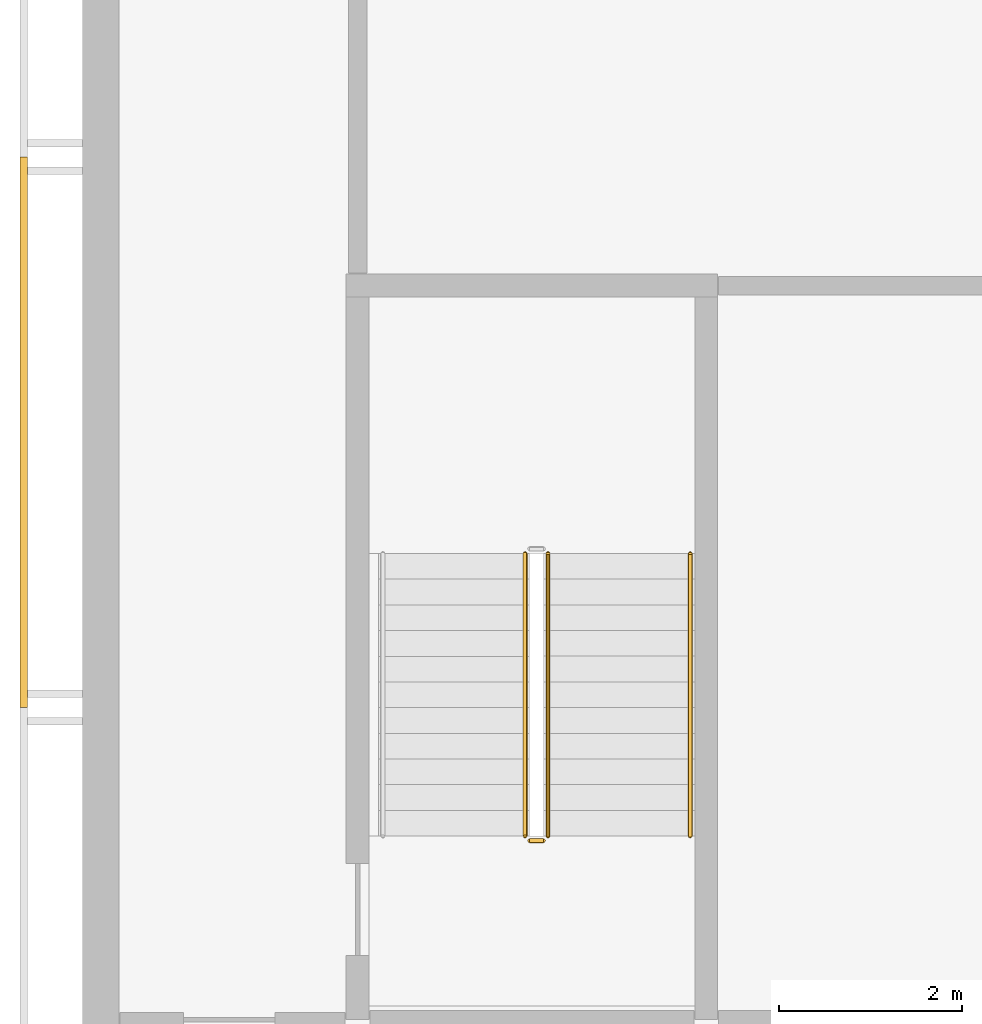
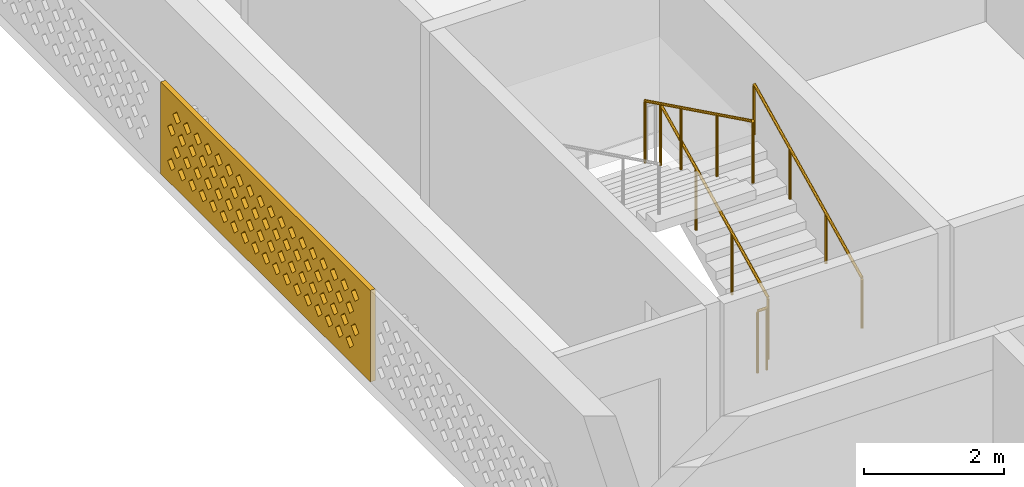
# One storey, part 12 of 18: 4 railings, 1 covering.
"""IFC4 building model written with IfcOpenShell, lengths in metres."""

from ifc_helpers import new_model, si_unit, direction, frame, origin, origin_2d, place, context, subcontext, project, spatial, polyline, circle, outline, extrude, source, transform, mapped, material, material_profile, profile_set, type_object, element, save


model = new_model("IFC4")

# Units and contexts
model_context = context("Model", 3, precision=1e-05, world=origin(), true_north=direction((0.0, 1.0)))
body_context = subcontext(model_context, "Body", "Model", "MODEL_VIEW")
ifc_project = project(units=[si_unit("LENGTHUNIT", "METRE"), si_unit("AREAUNIT", "SQUARE_METRE"), si_unit("VOLUMEUNIT", "CUBIC_METRE"), si_unit("PLANEANGLEUNIT", "RADIAN"), si_unit("MASSUNIT", "GRAM", prefix="KILO")], contexts=[model_context])

# Site, building, storey
site_placement = place(None, origin())
site = spatial("IfcSite", under=ifc_project, at=site_placement, CompositionType="ELEMENT")
building_placement = place(site_placement, origin())
building = spatial("IfcBuilding", under=site, at=building_placement, Name="Poui Terraces", CompositionType="ELEMENT")
storey_placement = place(building_placement, frame((0.0, 0.0, 285.60009765625)))
storey = spatial("IfcBuildingStorey", under=building, at=storey_placement, Name="L79 CROWN", CompositionType="ELEMENT", Elevation=285.60009765625)

# Railings
ifc_material_1 = material(Name="Galvanised steel balustrade", Category="steel")
railing_type_1 = type_object("IfcRailingType", Name="STAIR GUARD 1100", PredefinedType="GUARDRAIL", material=ifc_material_1)
railing_1_placement = place(storey_placement, frame((22.875, 16.60009765625, 0.137451171875)))
element("IfcRailing", 1, at=railing_1_placement, inside=storey, type_object=railing_type_1, Name="L79 CROWN ST-W stair guard 1", PredefinedType="GUARDRAIL", context=body_context, shape_type="SweptSolid", body=[
    extrude(circle(Radius=0.02392578125, at=origin_2d()), frame((0.0, 0.0, 1.076171875), z_axis=(0.0, 0.897606190399, 0.440798283751), x_axis=(-1.0, 0.0, 0.0)), (0.0, 0.0, 1.0), 3.43115234375),
    extrude(circle(Radius=0.02099609375, at=origin_2d()), origin(), (0.0, 0.0, 1.0), 1.052001953125),
    extrude(circle(Radius=0.02099609375, at=origin_2d()), frame((0.0, 1.026611328125, 0.504150390625)), (0.0, 0.0, 1.0), 1.052001953125),
    extrude(circle(Radius=0.02099609375, at=origin_2d()), frame((0.0, 2.05322265625, 1.00830078125)), (0.0, 0.0, 1.0), 1.052001953125),
    extrude(circle(Radius=0.02099609375, at=origin_2d()), frame((0.0, 3.079833984375, 1.512451171875)), (0.0, 0.0, 1.0), 1.052001953125),
])
railing_2_placement = place(storey_placement, frame((22.625, 19.679931640625, 1.787353515625)))
element("IfcRailing", 2, at=railing_2_placement, inside=storey, type_object=railing_type_1, Name="L79 CROWN ST-W stair guard 3", PredefinedType="GUARDRAIL", context=body_context, shape_type="SweptSolid", body=[
    extrude(circle(Radius=0.02392578125, at=origin_2d()), frame((0.0, 0.0, 1.076171875), z_axis=(0.0, -0.897606190399, 0.440798283751), x_axis=(1.0, 0.0, 0.0)), (0.0, 0.0, 1.0), 3.43115234375),
    extrude(circle(Radius=0.02099609375, at=origin_2d()), origin(), (0.0, 0.0, 1.0), 1.052001953125),
    extrude(circle(Radius=0.02099609375, at=origin_2d()), frame((0.0, -1.026611328125, 0.504150390625)), (0.0, 0.0, 1.0), 1.052001953125),
    extrude(circle(Radius=0.02099609375, at=origin_2d()), frame((0.0, -2.05322265625, 1.00830078125)), (0.0, 0.0, 1.0), 1.052001953125),
    extrude(circle(Radius=0.02099609375, at=origin_2d()), frame((0.0, -3.079833984375, 1.512451171875)), (0.0, 0.0, 1.0), 1.052001953125),
])
railing_3_placement = place(storey_placement, frame((22.824951171875, 16.550048828125, 0.0)))
element("IfcRailing", 3, at=railing_3_placement, inside=storey, type_object=railing_type_1, Name="L79 CROWN ST-W stair guard 4", PredefinedType="GUARDRAIL", context=body_context, shape_type="SweptSolid", body=[
    extrude(circle(Radius=0.02392578125, at=origin_2d()), frame((0.0, 0.0, 1.076171875), z_axis=(-1.0, 0.0, 0.0), x_axis=(0.0, -1.0, 0.0)), (0.0, 0.0, 1.0), 0.14990234375),
    extrude(circle(Radius=0.02099609375, at=origin_2d()), origin(), (0.0, 0.0, 1.0), 1.052001953125),
    extrude(circle(Radius=0.02099609375, at=origin_2d()), frame((-0.14990234375, 0.0, 0.0)), (0.0, 0.0, 1.0), 1.052001953125),
])
ifc_material_2 = material(Name="Stainless steel handrail", Category="steel")
railing_type_2 = type_object("IfcRailingType", Name="STAIR HANDRAIL 900", PredefinedType="HANDRAIL", material=ifc_material_2)
railing_4_placement = place(storey_placement, frame((24.425048828125, 16.60009765625, 0.137451171875)))
element("IfcRailing", 4, at=railing_4_placement, inside=storey, type_object=railing_type_2, Name="L79 CROWN ST-W stair handrail 1", PredefinedType="HANDRAIL", context=body_context, shape_type="SweptSolid", body=[
    extrude(circle(Radius=0.02392578125, at=origin_2d()), frame((0.0, 0.0, 0.8759765625), z_axis=(0.0, 0.897606190399, 0.440798283751), x_axis=(-1.0, 0.0, 0.0)), (0.0, 0.0, 1.0), 3.43115234375),
    extrude(circle(Radius=0.02099609375, at=origin_2d()), origin(), (0.0, 0.0, 1.0), 0.851806640625),
    extrude(circle(Radius=0.02099609375, at=origin_2d()), frame((0.0, 1.026611328125, 0.504150390625)), (0.0, 0.0, 1.0), 0.851806640625),
    extrude(circle(Radius=0.02099609375, at=origin_2d()), frame((0.0, 2.05322265625, 1.00830078125)), (0.0, 0.0, 1.0), 0.851806640625),
    extrude(circle(Radius=0.02099609375, at=origin_2d()), frame((0.0, 3.079833984375, 1.512451171875)), (0.0, 0.0, 1.0), 0.851806640625),
])

# Covering
ifc_material_3 = material(Name="Terracotta screen", Category="masonry")
ifc_material_profile = material_profile(ifc_material_3, outline(polyline([(-3.0, -0.800048828125), (3.0, -0.800048828125), (3.0, 0.800048828125), (-3.0, 0.800048828125), (-3.0, -0.800048828125)]), holes=[polyline([(-2.800048828125, -0.449951171875), (-2.68994140625, -0.56005859375), (-2.580078125, -0.449951171875), (-2.68994140625, -0.340087890625), (-2.800048828125, -0.449951171875)]), polyline([(-2.5, -0.449951171875), (-2.389892578125, -0.56005859375), (-2.280029296875, -0.449951171875), (-2.389892578125, -0.340087890625), (-2.5, -0.449951171875)]), polyline([(-2.199951171875, -0.449951171875), (-2.090087890625, -0.56005859375), (-1.97998046875, -0.449951171875), (-2.090087890625, -0.340087890625), (-2.199951171875, -0.449951171875)]), polyline([(-1.89990234375, -0.449951171875), (-1.7900390625, -0.56005859375), (-1.679931640625, -0.449951171875), (-1.7900390625, -0.340087890625), (-1.89990234375, -0.449951171875)]), polyline([(-1.60009765625, -0.449951171875), (-1.489990234375, -0.56005859375), (-1.3798828125, -0.449951171875), (-1.489990234375, -0.340087890625), (-1.60009765625, -0.449951171875)]), polyline([(-1.300048828125, -0.449951171875), (-1.18994140625, -0.56005859375), (-1.080078125, -0.449951171875), (-1.18994140625, -0.340087890625), (-1.300048828125, -0.449951171875)]), polyline([(-1.0, -0.449951171875), (-0.889892578125, -0.56005859375), (-0.780029296875, -0.449951171875), (-0.889892578125, -0.340087890625), (-1.0, -0.449951171875)]), polyline([(-0.699951171875, -0.449951171875), (-0.590087890625, -0.56005859375), (-0.47998046875, -0.449951171875), (-0.590087890625, -0.340087890625), (-0.699951171875, -0.449951171875)]), polyline([(-0.39990234375, -0.449951171875), (-0.2900390625, -0.56005859375), (-0.179931640625, -0.449951171875), (-0.2900390625, -0.340087890625), (-0.39990234375, -0.449951171875)]), polyline([(-0.10009765625, -0.449951171875), (0.010009765625, -0.56005859375), (0.1201171875, -0.449951171875), (0.010009765625, -0.340087890625), (-0.10009765625, -0.449951171875)]), polyline([(0.199951171875, -0.449951171875), (0.31005859375, -0.56005859375), (0.419921875, -0.449951171875), (0.31005859375, -0.340087890625), (0.199951171875, -0.449951171875)]), polyline([(0.5, -0.449951171875), (0.610107421875, -0.56005859375), (0.719970703125, -0.449951171875), (0.610107421875, -0.340087890625), (0.5, -0.449951171875)]), polyline([(0.800048828125, -0.449951171875), (0.909912109375, -0.56005859375), (1.02001953125, -0.449951171875), (0.909912109375, -0.340087890625), (0.800048828125, -0.449951171875)]), polyline([(1.10009765625, -0.449951171875), (1.2099609375, -0.56005859375), (1.320068359375, -0.449951171875), (1.2099609375, -0.340087890625), (1.10009765625, -0.449951171875)]), polyline([(1.39990234375, -0.449951171875), (1.510009765625, -0.56005859375), (1.6201171875, -0.449951171875), (1.510009765625, -0.340087890625), (1.39990234375, -0.449951171875)]), polyline([(1.699951171875, -0.449951171875), (1.81005859375, -0.56005859375), (1.919921875, -0.449951171875), (1.81005859375, -0.340087890625), (1.699951171875, -0.449951171875)]), polyline([(2.0, -0.449951171875), (2.110107421875, -0.56005859375), (2.219970703125, -0.449951171875), (2.110107421875, -0.340087890625), (2.0, -0.449951171875)]), polyline([(2.300048828125, -0.449951171875), (2.409912109375, -0.56005859375), (2.52001953125, -0.449951171875), (2.409912109375, -0.340087890625), (2.300048828125, -0.449951171875)]), polyline([(-2.64990234375, -0.14990234375), (-2.5400390625, -0.260009765625), (-2.429931640625, -0.14990234375), (-2.5400390625, -0.0400390625), (-2.64990234375, -0.14990234375)]), polyline([(-2.35009765625, -0.14990234375), (-2.239990234375, -0.260009765625), (-2.1298828125, -0.14990234375), (-2.239990234375, -0.0400390625), (-2.35009765625, -0.14990234375)]), polyline([(-2.050048828125, -0.14990234375), (-1.93994140625, -0.260009765625), (-1.830078125, -0.14990234375), (-1.93994140625, -0.0400390625), (-2.050048828125, -0.14990234375)]), polyline([(-1.75, -0.14990234375), (-1.639892578125, -0.260009765625), (-1.530029296875, -0.14990234375), (-1.639892578125, -0.0400390625), (-1.75, -0.14990234375)]), polyline([(-1.449951171875, -0.14990234375), (-1.340087890625, -0.260009765625), (-1.22998046875, -0.14990234375), (-1.340087890625, -0.0400390625), (-1.449951171875, -0.14990234375)]), polyline([(-1.14990234375, -0.14990234375), (-1.0400390625, -0.260009765625), (-0.929931640625, -0.14990234375), (-1.0400390625, -0.0400390625), (-1.14990234375, -0.14990234375)]), polyline([(-0.85009765625, -0.14990234375), (-0.739990234375, -0.260009765625), (-0.6298828125, -0.14990234375), (-0.739990234375, -0.0400390625), (-0.85009765625, -0.14990234375)]), polyline([(-0.550048828125, -0.14990234375), (-0.43994140625, -0.260009765625), (-0.330078125, -0.14990234375), (-0.43994140625, -0.0400390625), (-0.550048828125, -0.14990234375)]), polyline([(-0.25, -0.14990234375), (-0.139892578125, -0.260009765625), (-0.030029296875, -0.14990234375), (-0.139892578125, -0.0400390625), (-0.25, -0.14990234375)]), polyline([(0.050048828125, -0.14990234375), (0.159912109375, -0.260009765625), (0.27001953125, -0.14990234375), (0.159912109375, -0.0400390625), (0.050048828125, -0.14990234375)]), polyline([(0.35009765625, -0.14990234375), (0.4599609375, -0.260009765625), (0.570068359375, -0.14990234375), (0.4599609375, -0.0400390625), (0.35009765625, -0.14990234375)]), polyline([(0.64990234375, -0.14990234375), (0.760009765625, -0.260009765625), (0.8701171875, -0.14990234375), (0.760009765625, -0.0400390625), (0.64990234375, -0.14990234375)]), polyline([(0.949951171875, -0.14990234375), (1.06005859375, -0.260009765625), (1.169921875, -0.14990234375), (1.06005859375, -0.0400390625), (0.949951171875, -0.14990234375)]), polyline([(1.25, -0.14990234375), (1.360107421875, -0.260009765625), (1.469970703125, -0.14990234375), (1.360107421875, -0.0400390625), (1.25, -0.14990234375)]), polyline([(1.550048828125, -0.14990234375), (1.659912109375, -0.260009765625), (1.77001953125, -0.14990234375), (1.659912109375, -0.0400390625), (1.550048828125, -0.14990234375)]), polyline([(1.85009765625, -0.14990234375), (1.9599609375, -0.260009765625), (2.070068359375, -0.14990234375), (1.9599609375, -0.0400390625), (1.85009765625, -0.14990234375)]), polyline([(2.14990234375, -0.14990234375), (2.260009765625, -0.260009765625), (2.3701171875, -0.14990234375), (2.260009765625, -0.0400390625), (2.14990234375, -0.14990234375)]), polyline([(2.449951171875, -0.14990234375), (2.56005859375, -0.260009765625), (2.669921875, -0.14990234375), (2.56005859375, -0.0400390625), (2.449951171875, -0.14990234375)]), polyline([(-2.800048828125, 0.14990234375), (-2.68994140625, 0.0400390625), (-2.580078125, 0.14990234375), (-2.68994140625, 0.260009765625), (-2.800048828125, 0.14990234375)]), polyline([(-2.5, 0.14990234375), (-2.389892578125, 0.0400390625), (-2.280029296875, 0.14990234375), (-2.389892578125, 0.260009765625), (-2.5, 0.14990234375)]), polyline([(-2.199951171875, 0.14990234375), (-2.090087890625, 0.0400390625), (-1.97998046875, 0.14990234375), (-2.090087890625, 0.260009765625), (-2.199951171875, 0.14990234375)]), polyline([(-1.89990234375, 0.14990234375), (-1.7900390625, 0.0400390625), (-1.679931640625, 0.14990234375), (-1.7900390625, 0.260009765625), (-1.89990234375, 0.14990234375)]), polyline([(-1.60009765625, 0.14990234375), (-1.489990234375, 0.0400390625), (-1.3798828125, 0.14990234375), (-1.489990234375, 0.260009765625), (-1.60009765625, 0.14990234375)]), polyline([(-1.300048828125, 0.14990234375), (-1.18994140625, 0.0400390625), (-1.080078125, 0.14990234375), (-1.18994140625, 0.260009765625), (-1.300048828125, 0.14990234375)]), polyline([(-1.0, 0.14990234375), (-0.889892578125, 0.0400390625), (-0.780029296875, 0.14990234375), (-0.889892578125, 0.260009765625), (-1.0, 0.14990234375)]), polyline([(-0.699951171875, 0.14990234375), (-0.590087890625, 0.0400390625), (-0.47998046875, 0.14990234375), (-0.590087890625, 0.260009765625), (-0.699951171875, 0.14990234375)]), polyline([(-0.39990234375, 0.14990234375), (-0.2900390625, 0.0400390625), (-0.179931640625, 0.14990234375), (-0.2900390625, 0.260009765625), (-0.39990234375, 0.14990234375)]), polyline([(-0.10009765625, 0.14990234375), (0.010009765625, 0.0400390625), (0.1201171875, 0.14990234375), (0.010009765625, 0.260009765625), (-0.10009765625, 0.14990234375)]), polyline([(0.199951171875, 0.14990234375), (0.31005859375, 0.0400390625), (0.419921875, 0.14990234375), (0.31005859375, 0.260009765625), (0.199951171875, 0.14990234375)]), polyline([(0.5, 0.14990234375), (0.610107421875, 0.0400390625), (0.719970703125, 0.14990234375), (0.610107421875, 0.260009765625), (0.5, 0.14990234375)]), polyline([(0.800048828125, 0.14990234375), (0.909912109375, 0.0400390625), (1.02001953125, 0.14990234375), (0.909912109375, 0.260009765625), (0.800048828125, 0.14990234375)]), polyline([(1.10009765625, 0.14990234375), (1.2099609375, 0.0400390625), (1.320068359375, 0.14990234375), (1.2099609375, 0.260009765625), (1.10009765625, 0.14990234375)]), polyline([(1.39990234375, 0.14990234375), (1.510009765625, 0.0400390625), (1.6201171875, 0.14990234375), (1.510009765625, 0.260009765625), (1.39990234375, 0.14990234375)]), polyline([(1.699951171875, 0.14990234375), (1.81005859375, 0.0400390625), (1.919921875, 0.14990234375), (1.81005859375, 0.260009765625), (1.699951171875, 0.14990234375)]), polyline([(2.0, 0.14990234375), (2.110107421875, 0.0400390625), (2.219970703125, 0.14990234375), (2.110107421875, 0.260009765625), (2.0, 0.14990234375)]), polyline([(2.300048828125, 0.14990234375), (2.409912109375, 0.0400390625), (2.52001953125, 0.14990234375), (2.409912109375, 0.260009765625), (2.300048828125, 0.14990234375)]), polyline([(-2.64990234375, 0.449951171875), (-2.5400390625, 0.340087890625), (-2.429931640625, 0.449951171875), (-2.5400390625, 0.56005859375), (-2.64990234375, 0.449951171875)]), polyline([(-2.35009765625, 0.449951171875), (-2.239990234375, 0.340087890625), (-2.1298828125, 0.449951171875), (-2.239990234375, 0.56005859375), (-2.35009765625, 0.449951171875)]), polyline([(-2.050048828125, 0.449951171875), (-1.93994140625, 0.340087890625), (-1.830078125, 0.449951171875), (-1.93994140625, 0.56005859375), (-2.050048828125, 0.449951171875)]), polyline([(-1.75, 0.449951171875), (-1.639892578125, 0.340087890625), (-1.530029296875, 0.449951171875), (-1.639892578125, 0.56005859375), (-1.75, 0.449951171875)]), polyline([(-1.449951171875, 0.449951171875), (-1.340087890625, 0.340087890625), (-1.22998046875, 0.449951171875), (-1.340087890625, 0.56005859375), (-1.449951171875, 0.449951171875)]), polyline([(-1.14990234375, 0.449951171875), (-1.0400390625, 0.340087890625), (-0.929931640625, 0.449951171875), (-1.0400390625, 0.56005859375), (-1.14990234375, 0.449951171875)]), polyline([(-0.85009765625, 0.449951171875), (-0.739990234375, 0.340087890625), (-0.6298828125, 0.449951171875), (-0.739990234375, 0.56005859375), (-0.85009765625, 0.449951171875)]), polyline([(-0.550048828125, 0.449951171875), (-0.43994140625, 0.340087890625), (-0.330078125, 0.449951171875), (-0.43994140625, 0.56005859375), (-0.550048828125, 0.449951171875)]), polyline([(-0.25, 0.449951171875), (-0.139892578125, 0.340087890625), (-0.030029296875, 0.449951171875), (-0.139892578125, 0.56005859375), (-0.25, 0.449951171875)]), polyline([(0.050048828125, 0.449951171875), (0.159912109375, 0.340087890625), (0.27001953125, 0.449951171875), (0.159912109375, 0.56005859375), (0.050048828125, 0.449951171875)]), polyline([(0.35009765625, 0.449951171875), (0.4599609375, 0.340087890625), (0.570068359375, 0.449951171875), (0.4599609375, 0.56005859375), (0.35009765625, 0.449951171875)]), polyline([(0.64990234375, 0.449951171875), (0.760009765625, 0.340087890625), (0.8701171875, 0.449951171875), (0.760009765625, 0.56005859375), (0.64990234375, 0.449951171875)]), polyline([(0.949951171875, 0.449951171875), (1.06005859375, 0.340087890625), (1.169921875, 0.449951171875), (1.06005859375, 0.56005859375), (0.949951171875, 0.449951171875)]), polyline([(1.25, 0.449951171875), (1.360107421875, 0.340087890625), (1.469970703125, 0.449951171875), (1.360107421875, 0.56005859375), (1.25, 0.449951171875)]), polyline([(1.550048828125, 0.449951171875), (1.659912109375, 0.340087890625), (1.77001953125, 0.449951171875), (1.659912109375, 0.56005859375), (1.550048828125, 0.449951171875)]), polyline([(1.85009765625, 0.449951171875), (1.9599609375, 0.340087890625), (2.070068359375, 0.449951171875), (1.9599609375, 0.56005859375), (1.85009765625, 0.449951171875)]), polyline([(2.14990234375, 0.449951171875), (2.260009765625, 0.340087890625), (2.3701171875, 0.449951171875), (2.260009765625, 0.56005859375), (2.14990234375, 0.449951171875)]), polyline([(2.449951171875, 0.449951171875), (2.56005859375, 0.340087890625), (2.669921875, 0.449951171875), (2.56005859375, 0.56005859375), (2.449951171875, 0.449951171875)])]), Name="TERRACOTTA SOLAR SCREEN 6000X1600")
ifc_profile_set = profile_set([ifc_material_profile], Name="Terracotta screen")
covering_type = type_object("IfcCoveringType", Name="TERRACOTTA SOLAR SCREEN 6000X1600", PredefinedType="CLADDING", material=ifc_profile_set)
shared_shape = source(origin(), body_context, "Body", "SweptSolid", [
    extrude(outline(polyline([(-3.0, -0.800048828125), (3.0, -0.800048828125), (3.0, 0.800048828125), (-3.0, 0.800048828125), (-3.0, -0.800048828125)]), holes=[polyline([(-2.800048828125, -0.449951171875), (-2.68994140625, -0.56005859375), (-2.580078125, -0.449951171875), (-2.68994140625, -0.340087890625), (-2.800048828125, -0.449951171875)]), polyline([(-2.5, -0.449951171875), (-2.389892578125, -0.56005859375), (-2.280029296875, -0.449951171875), (-2.389892578125, -0.340087890625), (-2.5, -0.449951171875)]), polyline([(-2.199951171875, -0.449951171875), (-2.090087890625, -0.56005859375), (-1.97998046875, -0.449951171875), (-2.090087890625, -0.340087890625), (-2.199951171875, -0.449951171875)]), polyline([(-1.89990234375, -0.449951171875), (-1.7900390625, -0.56005859375), (-1.679931640625, -0.449951171875), (-1.7900390625, -0.340087890625), (-1.89990234375, -0.449951171875)]), polyline([(-1.60009765625, -0.449951171875), (-1.489990234375, -0.56005859375), (-1.3798828125, -0.449951171875), (-1.489990234375, -0.340087890625), (-1.60009765625, -0.449951171875)]), polyline([(-1.300048828125, -0.449951171875), (-1.18994140625, -0.56005859375), (-1.080078125, -0.449951171875), (-1.18994140625, -0.340087890625), (-1.300048828125, -0.449951171875)]), polyline([(-1.0, -0.449951171875), (-0.889892578125, -0.56005859375), (-0.780029296875, -0.449951171875), (-0.889892578125, -0.340087890625), (-1.0, -0.449951171875)]), polyline([(-0.699951171875, -0.449951171875), (-0.590087890625, -0.56005859375), (-0.47998046875, -0.449951171875), (-0.590087890625, -0.340087890625), (-0.699951171875, -0.449951171875)]), polyline([(-0.39990234375, -0.449951171875), (-0.2900390625, -0.56005859375), (-0.179931640625, -0.449951171875), (-0.2900390625, -0.340087890625), (-0.39990234375, -0.449951171875)]), polyline([(-0.10009765625, -0.449951171875), (0.010009765625, -0.56005859375), (0.1201171875, -0.449951171875), (0.010009765625, -0.340087890625), (-0.10009765625, -0.449951171875)]), polyline([(0.199951171875, -0.449951171875), (0.31005859375, -0.56005859375), (0.419921875, -0.449951171875), (0.31005859375, -0.340087890625), (0.199951171875, -0.449951171875)]), polyline([(0.5, -0.449951171875), (0.610107421875, -0.56005859375), (0.719970703125, -0.449951171875), (0.610107421875, -0.340087890625), (0.5, -0.449951171875)]), polyline([(0.800048828125, -0.449951171875), (0.909912109375, -0.56005859375), (1.02001953125, -0.449951171875), (0.909912109375, -0.340087890625), (0.800048828125, -0.449951171875)]), polyline([(1.10009765625, -0.449951171875), (1.2099609375, -0.56005859375), (1.320068359375, -0.449951171875), (1.2099609375, -0.340087890625), (1.10009765625, -0.449951171875)]), polyline([(1.39990234375, -0.449951171875), (1.510009765625, -0.56005859375), (1.6201171875, -0.449951171875), (1.510009765625, -0.340087890625), (1.39990234375, -0.449951171875)]), polyline([(1.699951171875, -0.449951171875), (1.81005859375, -0.56005859375), (1.919921875, -0.449951171875), (1.81005859375, -0.340087890625), (1.699951171875, -0.449951171875)]), polyline([(2.0, -0.449951171875), (2.110107421875, -0.56005859375), (2.219970703125, -0.449951171875), (2.110107421875, -0.340087890625), (2.0, -0.449951171875)]), polyline([(2.300048828125, -0.449951171875), (2.409912109375, -0.56005859375), (2.52001953125, -0.449951171875), (2.409912109375, -0.340087890625), (2.300048828125, -0.449951171875)]), polyline([(-2.64990234375, -0.14990234375), (-2.5400390625, -0.260009765625), (-2.429931640625, -0.14990234375), (-2.5400390625, -0.0400390625), (-2.64990234375, -0.14990234375)]), polyline([(-2.35009765625, -0.14990234375), (-2.239990234375, -0.260009765625), (-2.1298828125, -0.14990234375), (-2.239990234375, -0.0400390625), (-2.35009765625, -0.14990234375)]), polyline([(-2.050048828125, -0.14990234375), (-1.93994140625, -0.260009765625), (-1.830078125, -0.14990234375), (-1.93994140625, -0.0400390625), (-2.050048828125, -0.14990234375)]), polyline([(-1.75, -0.14990234375), (-1.639892578125, -0.260009765625), (-1.530029296875, -0.14990234375), (-1.639892578125, -0.0400390625), (-1.75, -0.14990234375)]), polyline([(-1.449951171875, -0.14990234375), (-1.340087890625, -0.260009765625), (-1.22998046875, -0.14990234375), (-1.340087890625, -0.0400390625), (-1.449951171875, -0.14990234375)]), polyline([(-1.14990234375, -0.14990234375), (-1.0400390625, -0.260009765625), (-0.929931640625, -0.14990234375), (-1.0400390625, -0.0400390625), (-1.14990234375, -0.14990234375)]), polyline([(-0.85009765625, -0.14990234375), (-0.739990234375, -0.260009765625), (-0.6298828125, -0.14990234375), (-0.739990234375, -0.0400390625), (-0.85009765625, -0.14990234375)]), polyline([(-0.550048828125, -0.14990234375), (-0.43994140625, -0.260009765625), (-0.330078125, -0.14990234375), (-0.43994140625, -0.0400390625), (-0.550048828125, -0.14990234375)]), polyline([(-0.25, -0.14990234375), (-0.139892578125, -0.260009765625), (-0.030029296875, -0.14990234375), (-0.139892578125, -0.0400390625), (-0.25, -0.14990234375)]), polyline([(0.050048828125, -0.14990234375), (0.159912109375, -0.260009765625), (0.27001953125, -0.14990234375), (0.159912109375, -0.0400390625), (0.050048828125, -0.14990234375)]), polyline([(0.35009765625, -0.14990234375), (0.4599609375, -0.260009765625), (0.570068359375, -0.14990234375), (0.4599609375, -0.0400390625), (0.35009765625, -0.14990234375)]), polyline([(0.64990234375, -0.14990234375), (0.760009765625, -0.260009765625), (0.8701171875, -0.14990234375), (0.760009765625, -0.0400390625), (0.64990234375, -0.14990234375)]), polyline([(0.949951171875, -0.14990234375), (1.06005859375, -0.260009765625), (1.169921875, -0.14990234375), (1.06005859375, -0.0400390625), (0.949951171875, -0.14990234375)]), polyline([(1.25, -0.14990234375), (1.360107421875, -0.260009765625), (1.469970703125, -0.14990234375), (1.360107421875, -0.0400390625), (1.25, -0.14990234375)]), polyline([(1.550048828125, -0.14990234375), (1.659912109375, -0.260009765625), (1.77001953125, -0.14990234375), (1.659912109375, -0.0400390625), (1.550048828125, -0.14990234375)]), polyline([(1.85009765625, -0.14990234375), (1.9599609375, -0.260009765625), (2.070068359375, -0.14990234375), (1.9599609375, -0.0400390625), (1.85009765625, -0.14990234375)]), polyline([(2.14990234375, -0.14990234375), (2.260009765625, -0.260009765625), (2.3701171875, -0.14990234375), (2.260009765625, -0.0400390625), (2.14990234375, -0.14990234375)]), polyline([(2.449951171875, -0.14990234375), (2.56005859375, -0.260009765625), (2.669921875, -0.14990234375), (2.56005859375, -0.0400390625), (2.449951171875, -0.14990234375)]), polyline([(-2.800048828125, 0.14990234375), (-2.68994140625, 0.0400390625), (-2.580078125, 0.14990234375), (-2.68994140625, 0.260009765625), (-2.800048828125, 0.14990234375)]), polyline([(-2.5, 0.14990234375), (-2.389892578125, 0.0400390625), (-2.280029296875, 0.14990234375), (-2.389892578125, 0.260009765625), (-2.5, 0.14990234375)]), polyline([(-2.199951171875, 0.14990234375), (-2.090087890625, 0.0400390625), (-1.97998046875, 0.14990234375), (-2.090087890625, 0.260009765625), (-2.199951171875, 0.14990234375)]), polyline([(-1.89990234375, 0.14990234375), (-1.7900390625, 0.0400390625), (-1.679931640625, 0.14990234375), (-1.7900390625, 0.260009765625), (-1.89990234375, 0.14990234375)]), polyline([(-1.60009765625, 0.14990234375), (-1.489990234375, 0.0400390625), (-1.3798828125, 0.14990234375), (-1.489990234375, 0.260009765625), (-1.60009765625, 0.14990234375)]), polyline([(-1.300048828125, 0.14990234375), (-1.18994140625, 0.0400390625), (-1.080078125, 0.14990234375), (-1.18994140625, 0.260009765625), (-1.300048828125, 0.14990234375)]), polyline([(-1.0, 0.14990234375), (-0.889892578125, 0.0400390625), (-0.780029296875, 0.14990234375), (-0.889892578125, 0.260009765625), (-1.0, 0.14990234375)]), polyline([(-0.699951171875, 0.14990234375), (-0.590087890625, 0.0400390625), (-0.47998046875, 0.14990234375), (-0.590087890625, 0.260009765625), (-0.699951171875, 0.14990234375)]), polyline([(-0.39990234375, 0.14990234375), (-0.2900390625, 0.0400390625), (-0.179931640625, 0.14990234375), (-0.2900390625, 0.260009765625), (-0.39990234375, 0.14990234375)]), polyline([(-0.10009765625, 0.14990234375), (0.010009765625, 0.0400390625), (0.1201171875, 0.14990234375), (0.010009765625, 0.260009765625), (-0.10009765625, 0.14990234375)]), polyline([(0.199951171875, 0.14990234375), (0.31005859375, 0.0400390625), (0.419921875, 0.14990234375), (0.31005859375, 0.260009765625), (0.199951171875, 0.14990234375)]), polyline([(0.5, 0.14990234375), (0.610107421875, 0.0400390625), (0.719970703125, 0.14990234375), (0.610107421875, 0.260009765625), (0.5, 0.14990234375)]), polyline([(0.800048828125, 0.14990234375), (0.909912109375, 0.0400390625), (1.02001953125, 0.14990234375), (0.909912109375, 0.260009765625), (0.800048828125, 0.14990234375)]), polyline([(1.10009765625, 0.14990234375), (1.2099609375, 0.0400390625), (1.320068359375, 0.14990234375), (1.2099609375, 0.260009765625), (1.10009765625, 0.14990234375)]), polyline([(1.39990234375, 0.14990234375), (1.510009765625, 0.0400390625), (1.6201171875, 0.14990234375), (1.510009765625, 0.260009765625), (1.39990234375, 0.14990234375)]), polyline([(1.699951171875, 0.14990234375), (1.81005859375, 0.0400390625), (1.919921875, 0.14990234375), (1.81005859375, 0.260009765625), (1.699951171875, 0.14990234375)]), polyline([(2.0, 0.14990234375), (2.110107421875, 0.0400390625), (2.219970703125, 0.14990234375), (2.110107421875, 0.260009765625), (2.0, 0.14990234375)]), polyline([(2.300048828125, 0.14990234375), (2.409912109375, 0.0400390625), (2.52001953125, 0.14990234375), (2.409912109375, 0.260009765625), (2.300048828125, 0.14990234375)]), polyline([(-2.64990234375, 0.449951171875), (-2.5400390625, 0.340087890625), (-2.429931640625, 0.449951171875), (-2.5400390625, 0.56005859375), (-2.64990234375, 0.449951171875)]), polyline([(-2.35009765625, 0.449951171875), (-2.239990234375, 0.340087890625), (-2.1298828125, 0.449951171875), (-2.239990234375, 0.56005859375), (-2.35009765625, 0.449951171875)]), polyline([(-2.050048828125, 0.449951171875), (-1.93994140625, 0.340087890625), (-1.830078125, 0.449951171875), (-1.93994140625, 0.56005859375), (-2.050048828125, 0.449951171875)]), polyline([(-1.75, 0.449951171875), (-1.639892578125, 0.340087890625), (-1.530029296875, 0.449951171875), (-1.639892578125, 0.56005859375), (-1.75, 0.449951171875)]), polyline([(-1.449951171875, 0.449951171875), (-1.340087890625, 0.340087890625), (-1.22998046875, 0.449951171875), (-1.340087890625, 0.56005859375), (-1.449951171875, 0.449951171875)]), polyline([(-1.14990234375, 0.449951171875), (-1.0400390625, 0.340087890625), (-0.929931640625, 0.449951171875), (-1.0400390625, 0.56005859375), (-1.14990234375, 0.449951171875)]), polyline([(-0.85009765625, 0.449951171875), (-0.739990234375, 0.340087890625), (-0.6298828125, 0.449951171875), (-0.739990234375, 0.56005859375), (-0.85009765625, 0.449951171875)]), polyline([(-0.550048828125, 0.449951171875), (-0.43994140625, 0.340087890625), (-0.330078125, 0.449951171875), (-0.43994140625, 0.56005859375), (-0.550048828125, 0.449951171875)]), polyline([(-0.25, 0.449951171875), (-0.139892578125, 0.340087890625), (-0.030029296875, 0.449951171875), (-0.139892578125, 0.56005859375), (-0.25, 0.449951171875)]), polyline([(0.050048828125, 0.449951171875), (0.159912109375, 0.340087890625), (0.27001953125, 0.449951171875), (0.159912109375, 0.56005859375), (0.050048828125, 0.449951171875)]), polyline([(0.35009765625, 0.449951171875), (0.4599609375, 0.340087890625), (0.570068359375, 0.449951171875), (0.4599609375, 0.56005859375), (0.35009765625, 0.449951171875)]), polyline([(0.64990234375, 0.449951171875), (0.760009765625, 0.340087890625), (0.8701171875, 0.449951171875), (0.760009765625, 0.56005859375), (0.64990234375, 0.449951171875)]), polyline([(0.949951171875, 0.449951171875), (1.06005859375, 0.340087890625), (1.169921875, 0.449951171875), (1.06005859375, 0.56005859375), (0.949951171875, 0.449951171875)]), polyline([(1.25, 0.449951171875), (1.360107421875, 0.340087890625), (1.469970703125, 0.449951171875), (1.360107421875, 0.56005859375), (1.25, 0.449951171875)]), polyline([(1.550048828125, 0.449951171875), (1.659912109375, 0.340087890625), (1.77001953125, 0.449951171875), (1.659912109375, 0.56005859375), (1.550048828125, 0.449951171875)]), polyline([(1.85009765625, 0.449951171875), (1.9599609375, 0.340087890625), (2.070068359375, 0.449951171875), (1.9599609375, 0.56005859375), (1.85009765625, 0.449951171875)]), polyline([(2.14990234375, 0.449951171875), (2.260009765625, 0.340087890625), (2.3701171875, 0.449951171875), (2.260009765625, 0.56005859375), (2.14990234375, 0.449951171875)]), polyline([(2.449951171875, 0.449951171875), (2.56005859375, 0.340087890625), (2.669921875, 0.449951171875), (2.56005859375, 0.56005859375), (2.449951171875, 0.449951171875)])]), origin(), (0.0, 0.0, 1.0), 0.079833984375),
])
covering_placement = place(storey_placement, frame((17.199951171875, 21.0, 1.699951171875), z_axis=(-1.0, 0.0, 0.0), x_axis=(0.0, -1.0, 0.0)))
element("IfcCovering", 5, at=covering_placement, inside=storey, type_object=covering_type, Name="SOLAR SCREEN", PredefinedType="CLADDING", context=body_context, shape_type="MappedRepresentation", body=[
    mapped(shared_shape, transform((0.0, 0.0, 0.0))),
])

save(model, "model.ifc")
